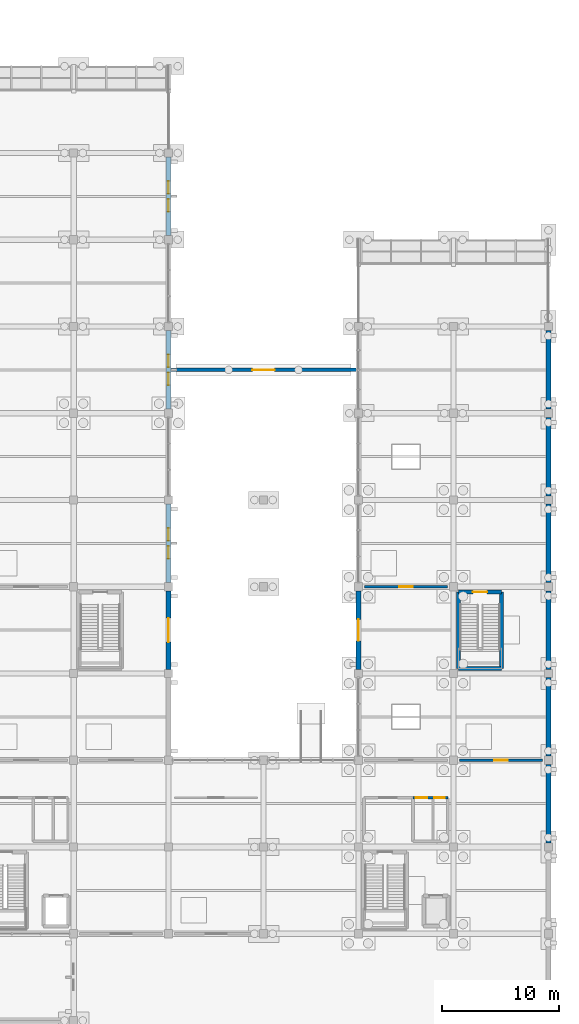
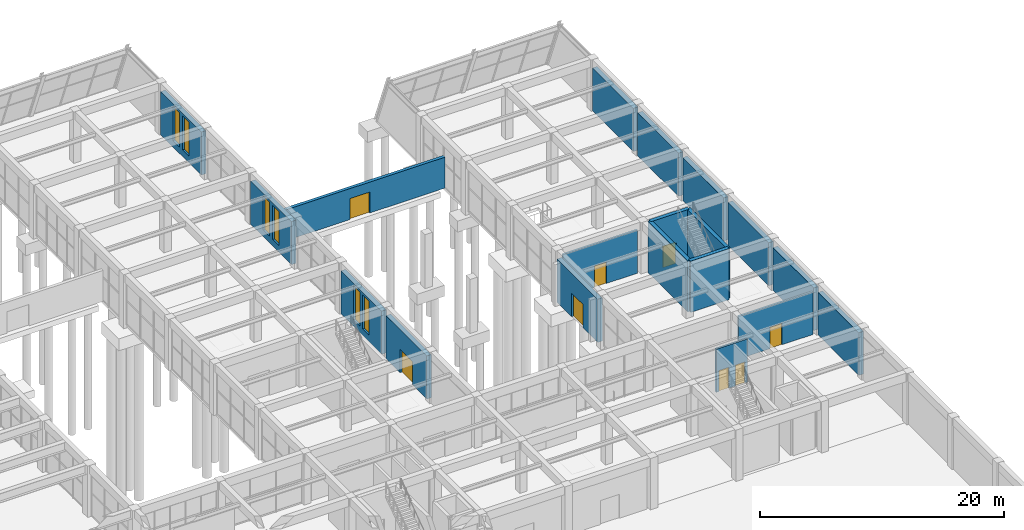
# One storey, part 130 of 140: 19 walls, 8 doors, 6 windows, 14 openings.
"""IFC4 building model written with IfcOpenShell, lengths in metres."""

from ifc_helpers import new_model, si_unit, direction, frame, frame_2d, origin, place, context, subcontext, project, spatial, rectangle, extrude, material, layer, layer_set, type_object, element, fill, save


model = new_model("IFC4")

# Units and contexts
model_context = context("Model", 3, precision=1e-05, world=origin(), true_north=direction((0.0, 1.0)))
body_context = subcontext(model_context, "Body", "Model", "MODEL_VIEW")
ifc_project = project(units=[si_unit("LENGTHUNIT", "METRE"), si_unit("AREAUNIT", "SQUARE_METRE"), si_unit("VOLUMEUNIT", "CUBIC_METRE"), si_unit("PLANEANGLEUNIT", "RADIAN"), si_unit("MASSUNIT", "GRAM", prefix="KILO")], contexts=[model_context])

# Site, building, storey
site_placement = place(None, origin())
site = spatial("IfcSite", under=ifc_project, at=site_placement, CompositionType="ELEMENT")
building_placement = place(site_placement, origin())
building = spatial("IfcBuilding", under=site, at=building_placement, Name="Cimatlan Art Gallery", CompositionType="ELEMENT")
storey_placement = place(building_placement, origin())
storey = spatial("IfcBuildingStorey", under=building, at=storey_placement, Name="L00", CompositionType="ELEMENT", Elevation=0.0)

# Walls
ifc_material_1 = material(Name="Concrete C40/50", Category="concrete")
ifc_layer_1 = layer(ifc_material_1, 0.35009765625)
ifc_layer_set_1 = layer_set([ifc_layer_1], Name="Concrete C40/50")
wall_type_1 = type_object("IfcWallType", Name="W-CORE-350", PredefinedType="SHEAR", material=ifc_layer_set_1)
wall_1_placement = place(storey_placement, frame((156.340087890625, 46.5400390625, 0.0), z_axis=(0.0, 0.0, 1.0), x_axis=(0.0, 1.0, 0.0)))
element("IfcWall", 1, at=wall_1_placement, inside=storey, type_object=wall_type_1, Name="WL-CORE-C10-L00-SW", PredefinedType="SHEAR", context=body_context, shape_type="SweptSolid", body=[
    extrude(rectangle(XDim=6.52001953125, YDim=0.35009765625, at=frame_2d((3.260009765625, 0.0))), origin(), (0.0, 0.0, 1.0), 5.1298828125),
])
wall_2_placement = place(storey_placement, frame((156.340087890625, 46.5400390625, 0.0), z_axis=(0.0, 0.0, 1.0), x_axis=(1.0, 0.0, 0.0)))
element("IfcWall", 2, at=wall_2_placement, inside=storey, type_object=wall_type_1, Name="WL-CORE-C10-L00-SS", PredefinedType="SHEAR", context=body_context, shape_type="SweptSolid", body=[
    extrude(rectangle(XDim=3.639892578125, YDim=0.35009765625, at=frame_2d((1.81982421875, 0.0))), origin(), (0.0, 0.0, 1.0), 5.1298828125),
])
wall_3_placement = place(storey_placement, frame((159.97998046875, 46.5400390625, 0.0), z_axis=(0.0, 0.0, 1.0), x_axis=(0.0, 1.0, 0.0)))
element("IfcWall", 3, at=wall_3_placement, inside=storey, type_object=wall_type_1, Name="WL-CORE-C10-L00-SE", PredefinedType="SHEAR", context=body_context, shape_type="SweptSolid", body=[
    extrude(rectangle(XDim=6.52001953125, YDim=0.35009765625, at=frame_2d((3.260009765625, 0.0))), origin(), (0.0, 0.0, 1.0), 5.1298828125),
])

# Wall, opening, door
wall_4_placement = place(storey_placement, frame((156.340087890625, 53.06005859375, 0.0), z_axis=(0.0, 0.0, 1.0), x_axis=(1.0, 0.0, 0.0)))
wall_4 = element("IfcWall", 4, at=wall_4_placement, inside=storey, type_object=wall_type_1, Name="WL-CORE-C10-L00-SN", PredefinedType="SHEAR", context=body_context, shape_type="SweptSolid", body=[
    extrude(rectangle(XDim=3.639892578125, YDim=0.35009765625, at=frame_2d((1.81982421875, 0.0))), origin(), (0.0, 0.0, 1.0), 5.1298828125),
])
opening_1_placement = place(wall_4_placement, frame((1.219970703125, 0.0, 0.0)))
opening_1 = element("IfcOpeningElement", 5, at=opening_1_placement, cuts=wall_4, Name="Opening FD-C10-L00", PredefinedType="OPENING", context=body_context, shape_type="SweptSolid", body=[
    extrude(rectangle(XDim=1.199951171875, YDim=2.14990234375, at=frame_2d((0.60009765625, 1.074951171875))), frame((0.0, 0.18505859375, 0.0), z_axis=(0.0, -1.0, 0.0), x_axis=(1.0, 0.0, 0.0)), (0.0, 0.0, 1.0), 0.3701171875),
])
ifc_material_2 = material(Name="Fire-resisting steel acoustic stair door", Category="steel")
door_type_1 = type_object("IfcDoorType", Name="FD-ST-1200", OperationType="NOTDEFINED", PredefinedType="DOOR", material=ifc_material_2)
door_1_placement = place(opening_1_placement, origin())
door_1 = element("IfcDoor", 6, at=door_1_placement, inside=storey, type_object=door_type_1, Name="DR-C10-L00-ST", OperationType="SINGLE_SWING_LEFT", OverallHeight=2.14990234375, OverallWidth=1.199951171875, PredefinedType="DOOR", context=body_context, shape_type="SweptSolid", body=[
    extrude(rectangle(XDim=1.199951171875, YDim=2.14990234375, at=frame_2d((0.60009765625, 1.074951171875))), frame((0.0, 0.02490234375, 0.0), z_axis=(0.0, -1.0, 0.0), x_axis=(1.0, 0.0, 0.0)), (0.0, 0.0, 1.0), 0.050048828125),
])
fill(opening_1, door_1)

# Wall, openings, doors
ifc_material_3 = material(Name="Moisture-resistant fire-rated plumbing wall")
ifc_layer_2 = layer(ifc_material_3, 0.195068359375)
ifc_layer_set_2 = layer_set([ifc_layer_2], Name="Moisture-resistant fire-rated plumbing wall")
wall_type_2 = type_object("IfcWallType", Name="W-PLM-195", PredefinedType="PARTITIONING", material=ifc_layer_set_2)
wall_5_placement = place(storey_placement, frame((152.449951171875, 35.5, 0.0), z_axis=(0.0, 0.0, 1.0), x_axis=(1.0, 0.0, 0.0)))
wall_5 = element("IfcWall", 7, at=wall_5_placement, inside=storey, type_object=wall_type_2, Name="WL-WC-C5-L00-N", PredefinedType="PARTITIONING", context=body_context, shape_type="SweptSolid", body=[
    extrude(rectangle(XDim=2.969970703125, YDim=0.195068359375, at=frame_2d((1.48486328125, 0.0))), origin(), (0.0, 0.0, 1.0), 4.324951171875),
])
opening_2_placement = place(wall_5_placement, frame((0.25, 0.0, 0.0)))
opening_2 = element("IfcOpeningElement", 8, at=opening_2_placement, cuts=wall_5, Name="Opening DWC-C5A-L00", PredefinedType="OPENING", context=body_context, shape_type="SweptSolid", body=[
    extrude(rectangle(XDim=0.949951171875, YDim=2.10009765625, at=frame_2d((0.47509765625, 1.050048828125))), frame((0.0, 0.107421875, 0.0), z_axis=(0.0, -1.0, 0.0), x_axis=(1.0, 0.0, 0.0)), (0.0, 0.0, 1.0), 0.215087890625),
])
opening_3_placement = place(wall_5_placement, frame((1.820068359375, 0.0, 0.0)))
opening_3 = element("IfcOpeningElement", 9, at=opening_3_placement, cuts=wall_5, Name="Opening DWC-C5B-L00", PredefinedType="OPENING", context=body_context, shape_type="SweptSolid", body=[
    extrude(rectangle(XDim=0.89990234375, YDim=2.10009765625, at=frame_2d((0.449951171875, 1.050048828125))), frame((0.0, 0.107421875, 0.0), z_axis=(0.0, -1.0, 0.0), x_axis=(1.0, 0.0, 0.0)), (0.0, 0.0, 1.0), 0.215087890625),
])
ifc_material_4 = material(Name="Sanitary room door")
door_type_2 = type_object("IfcDoorType", Name="DI-WC-0900", OperationType="NOTDEFINED", PredefinedType="DOOR", material=ifc_material_4)
door_2_placement = place(opening_3_placement, origin())
door_2 = element("IfcDoor", 10, at=door_2_placement, inside=storey, type_object=door_type_2, Name="DR-PWC-C5-L00", OperationType="SINGLE_SWING_RIGHT", OverallHeight=2.10009765625, OverallWidth=0.89990234375, PredefinedType="DOOR", context=body_context, shape_type="SweptSolid", body=[
    extrude(rectangle(XDim=0.89990234375, YDim=2.10009765625, at=frame_2d((0.449951171875, 1.050048828125))), frame((0.0, 0.02490234375, 0.0), z_axis=(0.0, -1.0, 0.0), x_axis=(1.0, 0.0, 0.0)), (0.0, 0.0, 1.0), 0.050048828125),
])
fill(opening_3, door_2)
ifc_material_5 = material(Name="Accessible sanitary room door")
door_type_3 = type_object("IfcDoorType", Name="DI-WC-0950", OperationType="NOTDEFINED", PredefinedType="DOOR", material=ifc_material_5)
door_3_placement = place(opening_2_placement, origin())
door_3 = element("IfcDoor", 11, at=door_3_placement, inside=storey, type_object=door_type_3, Name="DR-AWC-C5-L00", OperationType="SINGLE_SWING_LEFT", OverallHeight=2.10009765625, OverallWidth=0.949951171875, PredefinedType="DOOR", context=body_context, shape_type="SweptSolid", body=[
    extrude(rectangle(XDim=0.949951171875, YDim=2.10009765625, at=frame_2d((0.47509765625, 1.050048828125))), frame((0.0, 0.02490234375, 0.0), z_axis=(0.0, -1.0, 0.0), x_axis=(1.0, 0.0, 0.0)), (0.0, 0.0, 1.0), 0.050048828125),
])
fill(opening_2, door_3)

# Wall, opening, door
ifc_material_6 = material(Name="Acoustic gypsum and steel stud partition", Category="steel")
ifc_layer_3 = layer(ifc_material_6, 0.179931640625)
ifc_layer_set_3 = layer_set([ifc_layer_3], Name="Acoustic gypsum and steel stud partition")
wall_type_3 = type_object("IfcWallType", Name="W-STD-180", PredefinedType="PARTITIONING", material=ifc_layer_set_3)
wall_6_placement = place(storey_placement, frame((156.419921875, 38.699951171875, 0.0), z_axis=(0.0, 0.0, 1.0), x_axis=(1.0, 0.0, 0.0)))
wall_6 = element("IfcWall", 12, at=wall_6_placement, inside=storey, type_object=wall_type_3, Name="WL-RM-L00-STD-01B", PredefinedType="PARTITIONING", context=body_context, shape_type="SweptSolid", body=[
    extrude(rectangle(XDim=7.06005859375, YDim=0.179931640625, at=frame_2d((3.530029296875, 0.0))), origin(), (0.0, 0.0, 1.0), 4.27490234375),
])
opening_4_placement = place(wall_6_placement, frame((2.955078125, 0.0, 0.0)))
opening_4 = element("IfcOpeningElement", 13, at=opening_4_placement, cuts=wall_6, Name="Opening DI-0194", PredefinedType="OPENING", context=body_context, shape_type="SweptSolid", body=[
    extrude(rectangle(XDim=1.14990234375, YDim=2.14990234375, at=frame_2d((0.574951171875, 1.074951171875))), frame((0.0, 0.10009765625, 0.0), z_axis=(0.0, -1.0, 0.0), x_axis=(1.0, 0.0, 0.0)), (0.0, 0.0, 1.0), 0.199951171875),
])
ifc_material_7 = material(Name="Solid oak artists' studio door")
door_type_4 = type_object("IfcDoorType", Name="DI-SD-1150", OperationType="NOTDEFINED", PredefinedType="DOOR", material=ifc_material_7)
door_4_placement = place(opening_4_placement, origin())
door_4 = element("IfcDoor", 14, at=door_4_placement, inside=storey, type_object=door_type_4, Name="DR-RM-L00-STD-01B", OperationType="SINGLE_SWING_RIGHT", OverallHeight=2.14990234375, OverallWidth=1.14990234375, PredefinedType="DOOR", context=body_context, shape_type="SweptSolid", body=[
    extrude(rectangle(XDim=1.14990234375, YDim=2.14990234375, at=frame_2d((0.574951171875, 1.074951171875))), frame((0.0, 0.02490234375, 0.0), z_axis=(0.0, -1.0, 0.0), x_axis=(1.0, 0.0, 0.0)), (0.0, 0.0, 1.0), 0.050048828125),
])
fill(opening_4, door_4)

wall_7_placement = place(storey_placement, frame((148.320068359375, 53.5, 0.0), z_axis=(0.0, 0.0, 1.0), x_axis=(1.0, 0.0, 0.0)))
wall_7 = element("IfcWall", 15, at=wall_7_placement, inside=storey, type_object=wall_type_3, Name="WL-RM-L00-STD-02", PredefinedType="PARTITIONING", context=body_context, shape_type="SweptSolid", body=[
    extrude(rectangle(XDim=7.059814453125, YDim=0.179931640625, at=frame_2d((3.52978515625, 0.0))), origin(), (0.0, 0.0, 1.0), 4.324951171875),
])
opening_5_placement = place(wall_7_placement, frame((2.955078125, 0.0, 0.0)))
opening_5 = element("IfcOpeningElement", 16, at=opening_5_placement, cuts=wall_7, Name="Opening DI-0195", PredefinedType="OPENING", context=body_context, shape_type="SweptSolid", body=[
    extrude(rectangle(XDim=1.14990234375, YDim=2.14990234375, at=frame_2d((0.574951171875, 1.074951171875))), frame((0.0, 0.10009765625, 0.0), z_axis=(0.0, -1.0, 0.0), x_axis=(1.0, 0.0, 0.0)), (0.0, 0.0, 1.0), 0.199951171875),
])
door_5_placement = place(opening_5_placement, origin())
door_5 = element("IfcDoor", 17, at=door_5_placement, inside=storey, type_object=door_type_4, Name="DR-RM-L00-STD-02", OperationType="SINGLE_SWING_LEFT", OverallHeight=2.14990234375, OverallWidth=1.14990234375, PredefinedType="DOOR", context=body_context, shape_type="SweptSolid", body=[
    extrude(rectangle(XDim=1.14990234375, YDim=2.14990234375, at=frame_2d((0.574951171875, 1.074951171875))), frame((0.0, 0.02490234375, 0.0), z_axis=(0.0, -1.0, 0.0), x_axis=(1.0, 0.0, 0.0)), (0.0, 0.0, 1.0), 0.050048828125),
])
fill(opening_5, door_5)

ifc_material_8 = material(Name="Precast concrete C40/50", Category="concrete")
ifc_layer_4 = layer(ifc_material_8, 0.43994140625)
ifc_layer_set_4 = layer_set([ifc_layer_4], Name="Precast concrete C40/50")
wall_type_4 = type_object("IfcWallType", Name="WL-EXT-CAN-440", PredefinedType="SOLIDWALL", material=ifc_layer_set_4)
wall_8_placement = place(storey_placement, frame((131.60009765625, 53.14599609375, 0.0), z_axis=(0.0, 0.0, 1.0), x_axis=(0.0, -1.0, 0.0)))
wall_8 = element("IfcWall", 18, at=wall_8_placement, inside=storey, type_object=wall_type_4, Name="WL-EXT-L00-15-06-E", PredefinedType="SOLIDWALL", context=body_context, shape_type="SweptSolid", body=[
    extrude(rectangle(XDim=6.69189453125, YDim=0.43994140625, at=frame_2d((3.345947265625, 0.0))), origin(), (0.0, 0.0, 1.0), 4.320068359375),
])
opening_6_placement = place(wall_8_placement, frame((2.321044921875, 0.0, 0.0)))
opening_6 = element("IfcOpeningElement", 19, at=opening_6_placement, cuts=wall_8, Name="Opening D-L00-E13", PredefinedType="OPENING", context=body_context, shape_type="SweptSolid", body=[
    extrude(rectangle(XDim=2.050048828125, YDim=2.35009765625, at=frame_2d((1.02490234375, 1.175048828125))), frame((0.0, 0.22998046875, 0.0), z_axis=(0.0, -1.0, 0.0), x_axis=(1.0, 0.0, 0.0)), (0.0, 0.0, 1.0), 0.4599609375),
])
ifc_material_9 = material(Name="Anodised bronze and laminated safety glass door", Category="glass")
door_type_5 = type_object("IfcDoorType", Name="DE-EX-2050", OperationType="NOTDEFINED", PredefinedType="DOOR", material=ifc_material_9)
door_6_placement = place(opening_6_placement, origin())
door_6 = element("IfcDoor", 20, at=door_6_placement, inside=storey, type_object=door_type_5, Name="D-L00-E13", OperationType="DOUBLE_SWING_LEFT", OverallHeight=2.35009765625, OverallWidth=2.050048828125, PredefinedType="DOOR", context=body_context, shape_type="SweptSolid", body=[
    extrude(rectangle(XDim=2.050048828125, YDim=2.35009765625, at=frame_2d((1.02490234375, 1.175048828125))), frame((0.0, 0.02490234375, 0.0), z_axis=(0.0, -1.0, 0.0), x_axis=(1.0, 0.0, 0.0)), (0.0, 0.0, 1.0), 0.050048828125),
])
fill(opening_6, door_6)

# Wall, openings, windows
wall_9_placement = place(storey_placement, frame((131.60009765625, 60.5458984375, 0.0), z_axis=(0.0, 0.0, 1.0), x_axis=(0.0, -1.0, 0.0)))
wall_9 = element("IfcWall", 21, at=wall_9_placement, inside=storey, type_object=wall_type_4, Name="WL-EXT-L00-15-07-E", PredefinedType="SOLIDWALL", context=body_context, shape_type="SweptSolid", body=[
    extrude(rectangle(XDim=6.69189453125, YDim=0.43994140625, at=frame_2d((3.345947265625, 0.0))), origin(), (0.0, 0.0, 1.0), 4.320068359375),
])
opening_7_placement = place(wall_9_placement, frame((2.0458984375, 0.0, 0.64990234375)))
opening_7 = element("IfcOpeningElement", 22, at=opening_7_placement, cuts=wall_9, Name="Opening WN-0047", PredefinedType="OPENING", context=body_context, shape_type="SweptSolid", body=[
    extrude(rectangle(XDim=1.06005859375, YDim=3.419921875, at=frame_2d((0.530029296875, 1.7099609375))), frame((0.0, 0.22998046875, 0.0), z_axis=(0.0, -1.0, 0.0), x_axis=(1.0, 0.0, 0.0)), (0.0, 0.0, 1.0), 0.4599609375),
])
opening_8_placement = place(wall_9_placement, frame((3.5859375, 0.0, 0.64990234375)))
opening_8 = element("IfcOpeningElement", 23, at=opening_8_placement, cuts=wall_9, Name="Opening WN-0048", PredefinedType="OPENING", context=body_context, shape_type="SweptSolid", body=[
    extrude(rectangle(XDim=1.06005859375, YDim=3.419921875, at=frame_2d((0.530029296875, 1.7099609375))), frame((0.0, 0.22998046875, 0.0), z_axis=(0.0, -1.0, 0.0), x_axis=(1.0, 0.0, 0.0)), (0.0, 0.0, 1.0), 0.4599609375),
])
ifc_material_10 = material(Name="Low-E laminated double glazing in bronze lancet frame", Category="glass")
window_type = type_object("IfcWindowType", Name="WIN-PAV-E0-1060X3420", PartitioningType="SINGLE_PANEL", PredefinedType="WINDOW", material=ifc_material_10)
window_1_placement = place(opening_7_placement, origin())
window_1 = element("IfcWindow", 24, at=window_1_placement, inside=storey, type_object=window_type, Name="WIN-0047", OverallHeight=3.419921875, OverallWidth=1.06005859375, PartitioningType="SINGLE_PANEL", PredefinedType="WINDOW", context=body_context, shape_type="SweptSolid", body=[
    extrude(rectangle(XDim=1.06005859375, YDim=3.419921875, at=frame_2d((0.530029296875, 1.7099609375))), frame((0.0, 0.030029296875, 0.0), z_axis=(0.0, -1.0, 0.0), x_axis=(1.0, 0.0, 0.0)), (0.0, 0.0, 1.0), 0.06005859375),
])
fill(opening_7, window_1)
window_2_placement = place(opening_8_placement, origin())
window_2 = element("IfcWindow", 25, at=window_2_placement, inside=storey, type_object=window_type, Name="WIN-0048", OverallHeight=3.419921875, OverallWidth=1.06005859375, PartitioningType="SINGLE_PANEL", PredefinedType="WINDOW", context=body_context, shape_type="SweptSolid", body=[
    extrude(rectangle(XDim=1.06005859375, YDim=3.419921875, at=frame_2d((0.530029296875, 1.7099609375))), frame((0.0, 0.030029296875, 0.0), z_axis=(0.0, -1.0, 0.0), x_axis=(1.0, 0.0, 0.0)), (0.0, 0.0, 1.0), 0.06005859375),
])
fill(opening_8, window_2)

wall_10_placement = place(storey_placement, frame((131.60009765625, 75.345947265625, 0.0), z_axis=(0.0, 0.0, 1.0), x_axis=(0.0, -1.0, 0.0)))
wall_10 = element("IfcWall", 26, at=wall_10_placement, inside=storey, type_object=wall_type_4, Name="WL-EXT-L00-15-09-E", PredefinedType="SOLIDWALL", context=body_context, shape_type="SweptSolid", body=[
    extrude(rectangle(XDim=6.69189453125, YDim=0.43994140625, at=frame_2d((3.345947265625, 0.0))), origin(), (0.0, 0.0, 1.0), 4.320068359375),
])
opening_9_placement = place(wall_10_placement, frame((2.0458984375, 0.0, 0.64990234375)))
opening_9 = element("IfcOpeningElement", 27, at=opening_9_placement, cuts=wall_10, Name="Opening WN-0049", PredefinedType="OPENING", context=body_context, shape_type="SweptSolid", body=[
    extrude(rectangle(XDim=1.06005859375, YDim=3.419921875, at=frame_2d((0.530029296875, 1.7099609375))), frame((0.0, 0.22998046875, 0.0), z_axis=(0.0, -1.0, 0.0), x_axis=(1.0, 0.0, 0.0)), (0.0, 0.0, 1.0), 0.4599609375),
])
opening_10_placement = place(wall_10_placement, frame((3.5859375, 0.0, 0.64990234375)))
opening_10 = element("IfcOpeningElement", 28, at=opening_10_placement, cuts=wall_10, Name="Opening WN-0050", PredefinedType="OPENING", context=body_context, shape_type="SweptSolid", body=[
    extrude(rectangle(XDim=1.06005859375, YDim=3.419921875, at=frame_2d((0.530029296875, 1.7099609375))), frame((0.0, 0.22998046875, 0.0), z_axis=(0.0, -1.0, 0.0), x_axis=(1.0, 0.0, 0.0)), (0.0, 0.0, 1.0), 0.4599609375),
])
window_3_placement = place(opening_9_placement, origin())
window_3 = element("IfcWindow", 29, at=window_3_placement, inside=storey, type_object=window_type, Name="WIN-0049", OverallHeight=3.419921875, OverallWidth=1.06005859375, PartitioningType="SINGLE_PANEL", PredefinedType="WINDOW", context=body_context, shape_type="SweptSolid", body=[
    extrude(rectangle(XDim=1.06005859375, YDim=3.419921875, at=frame_2d((0.530029296875, 1.7099609375))), frame((0.0, 0.030029296875, 0.0), z_axis=(0.0, -1.0, 0.0), x_axis=(1.0, 0.0, 0.0)), (0.0, 0.0, 1.0), 0.06005859375),
])
fill(opening_9, window_3)
window_4_placement = place(opening_10_placement, origin())
window_4 = element("IfcWindow", 30, at=window_4_placement, inside=storey, type_object=window_type, Name="WIN-0050", OverallHeight=3.419921875, OverallWidth=1.06005859375, PartitioningType="SINGLE_PANEL", PredefinedType="WINDOW", context=body_context, shape_type="SweptSolid", body=[
    extrude(rectangle(XDim=1.06005859375, YDim=3.419921875, at=frame_2d((0.530029296875, 1.7099609375))), frame((0.0, 0.030029296875, 0.0), z_axis=(0.0, -1.0, 0.0), x_axis=(1.0, 0.0, 0.0)), (0.0, 0.0, 1.0), 0.06005859375),
])
fill(opening_10, window_4)

wall_11_placement = place(storey_placement, frame((131.60009765625, 90.14599609375, 0.0), z_axis=(0.0, 0.0, 1.0), x_axis=(0.0, -1.0, 0.0)))
wall_11 = element("IfcWall", 31, at=wall_11_placement, inside=storey, type_object=wall_type_4, Name="WL-EXT-L00-15-11-E", PredefinedType="SOLIDWALL", context=body_context, shape_type="SweptSolid", body=[
    extrude(rectangle(XDim=6.69189453125, YDim=0.43994140625, at=frame_2d((3.345947265625, 0.0))), origin(), (0.0, 0.0, 1.0), 4.320068359375),
])
opening_11_placement = place(wall_11_placement, frame((2.0458984375, 0.0, 0.64990234375)))
opening_11 = element("IfcOpeningElement", 32, at=opening_11_placement, cuts=wall_11, Name="Opening WN-0051", PredefinedType="OPENING", context=body_context, shape_type="SweptSolid", body=[
    extrude(rectangle(XDim=1.06005859375, YDim=3.419921875, at=frame_2d((0.530029296875, 1.7099609375))), frame((0.0, 0.22998046875, 0.0), z_axis=(0.0, -1.0, 0.0), x_axis=(1.0, 0.0, 0.0)), (0.0, 0.0, 1.0), 0.4599609375),
])
opening_12_placement = place(wall_11_placement, frame((3.5859375, 0.0, 0.64990234375)))
opening_12 = element("IfcOpeningElement", 33, at=opening_12_placement, cuts=wall_11, Name="Opening WN-0052", PredefinedType="OPENING", context=body_context, shape_type="SweptSolid", body=[
    extrude(rectangle(XDim=1.06005859375, YDim=3.419921875, at=frame_2d((0.530029296875, 1.7099609375))), frame((0.0, 0.22998046875, 0.0), z_axis=(0.0, -1.0, 0.0), x_axis=(1.0, 0.0, 0.0)), (0.0, 0.0, 1.0), 0.4599609375),
])
window_5_placement = place(opening_11_placement, origin())
window_5 = element("IfcWindow", 34, at=window_5_placement, inside=storey, type_object=window_type, Name="WIN-0051", OverallHeight=3.419921875, OverallWidth=1.06005859375, PartitioningType="SINGLE_PANEL", PredefinedType="WINDOW", context=body_context, shape_type="SweptSolid", body=[
    extrude(rectangle(XDim=1.06005859375, YDim=3.419921875, at=frame_2d((0.530029296875, 1.7099609375))), frame((0.0, 0.030029296875, 0.0), z_axis=(0.0, -1.0, 0.0), x_axis=(1.0, 0.0, 0.0)), (0.0, 0.0, 1.0), 0.06005859375),
])
fill(opening_11, window_5)
window_6_placement = place(opening_12_placement, origin())
window_6 = element("IfcWindow", 35, at=window_6_placement, inside=storey, type_object=window_type, Name="WIN-0052", OverallHeight=3.419921875, OverallWidth=1.06005859375, PartitioningType="SINGLE_PANEL", PredefinedType="WINDOW", context=body_context, shape_type="SweptSolid", body=[
    extrude(rectangle(XDim=1.06005859375, YDim=3.419921875, at=frame_2d((0.530029296875, 1.7099609375))), frame((0.0, 0.030029296875, 0.0), z_axis=(0.0, -1.0, 0.0), x_axis=(1.0, 0.0, 0.0)), (0.0, 0.0, 1.0), 0.06005859375),
])
fill(opening_12, window_6)

# Wall, opening, door
wall_12_placement = place(storey_placement, frame((147.800048828125, 46.4541015625, 0.0), z_axis=(0.0, 0.0, 1.0), x_axis=(0.0, 1.0, 0.0)))
wall_12 = element("IfcWall", 36, at=wall_12_placement, inside=storey, type_object=wall_type_4, Name="WL-EXT-L00-18-06-W", PredefinedType="SOLIDWALL", context=body_context, shape_type="SweptSolid", body=[
    extrude(rectangle(XDim=6.69189453125, YDim=0.43994140625, at=frame_2d((3.345947265625, 0.0))), origin(), (0.0, 0.0, 1.0), 4.320068359375),
])
opening_13_placement = place(wall_12_placement, frame((2.4208984375, 0.0, 0.0)))
opening_13 = element("IfcOpeningElement", 37, at=opening_13_placement, cuts=wall_12, Name="Opening D-L00-E14", PredefinedType="OPENING", context=body_context, shape_type="SweptSolid", body=[
    extrude(rectangle(XDim=1.85009765625, YDim=2.35009765625, at=frame_2d((0.925048828125, 1.175048828125))), frame((0.0, 0.22998046875, 0.0), z_axis=(0.0, -1.0, 0.0), x_axis=(1.0, 0.0, 0.0)), (0.0, 0.0, 1.0), 0.4599609375),
])
door_type_6 = type_object("IfcDoorType", Name="DE-CT-1850", OperationType="NOTDEFINED", PredefinedType="DOOR", material=ifc_material_9)
door_7_placement = place(opening_13_placement, origin())
door_7 = element("IfcDoor", 38, at=door_7_placement, inside=storey, type_object=door_type_6, Name="D-L00-E14", OperationType="DOUBLE_SWING_LEFT", OverallHeight=2.35009765625, OverallWidth=1.85009765625, PredefinedType="DOOR", context=body_context, shape_type="SweptSolid", body=[
    extrude(rectangle(XDim=1.85009765625, YDim=2.35009765625, at=frame_2d((0.925048828125, 1.175048828125))), frame((0.0, 0.02490234375, 0.0), z_axis=(0.0, -1.0, 0.0), x_axis=(1.0, 0.0, 0.0)), (0.0, 0.0, 1.0), 0.050048828125),
])
fill(opening_13, door_7)

# Walls
wall_13_placement = place(storey_placement, frame((164.0, 38.345947265625, 0.0), z_axis=(0.0, 0.0, 1.0), x_axis=(0.0, -1.0, 0.0)))
element("IfcWall", 39, at=wall_13_placement, inside=storey, type_object=wall_type_4, Name="WL-EXT-L00-19-04-E", PredefinedType="SOLIDWALL", context=body_context, shape_type="SweptSolid", body=[
    extrude(rectangle(XDim=6.69189453125, YDim=0.43994140625, at=frame_2d((3.345947265625, 0.0))), origin(), (0.0, 0.0, 1.0), 4.27001953125),
])
wall_14_placement = place(storey_placement, frame((164.0, 45.74609375, 0.0), z_axis=(0.0, 0.0, 1.0), x_axis=(0.0, -1.0, 0.0)))
element("IfcWall", 40, at=wall_14_placement, inside=storey, type_object=wall_type_4, Name="WL-EXT-L00-19-05-E", PredefinedType="SOLIDWALL", context=body_context, shape_type="SweptSolid", body=[
    extrude(rectangle(XDim=6.692138671875, YDim=0.43994140625, at=frame_2d((3.34619140625, 0.0))), origin(), (0.0, 0.0, 1.0), 4.27001953125),
])
for number, where, z_axis, x_axis, name in (
    (41, (164.0, 53.14599609375, 0.0), (0.0, 0.0, 1.0), (0.0, -1.0, 0.0), "WL-EXT-L00-19-06-E"),
    (42, (164.0, 60.5458984375, 0.0), (0.0, 0.0, 1.0), (0.0, -1.0, 0.0), "WL-EXT-L00-19-07-E"),
):
    element("IfcWall", number, at=place(storey_placement, frame(where, z_axis=z_axis, x_axis=x_axis)), inside=storey, type_object=wall_type_4, Name=name, PredefinedType="SOLIDWALL", context=body_context, shape_type="SweptSolid", body=[
        extrude(rectangle(XDim=6.69189453125, YDim=0.43994140625, at=frame_2d((3.345947265625, 0.0))), origin(), (0.0, 0.0, 1.0), 4.320068359375),
    ])
wall_15_placement = place(storey_placement, frame((164.0, 67.946044921875, 0.0), z_axis=(0.0, 0.0, 1.0), x_axis=(0.0, -1.0, 0.0)))
element("IfcWall", 43, at=wall_15_placement, inside=storey, type_object=wall_type_4, Name="WL-EXT-L00-19-08-E", PredefinedType="SOLIDWALL", context=body_context, shape_type="SweptSolid", body=[
    extrude(rectangle(XDim=6.692138671875, YDim=0.43994140625, at=frame_2d((3.34619140625, 0.0))), origin(), (0.0, 0.0, 1.0), 4.320068359375),
])
wall_16_placement = place(storey_placement, frame((164.0, 75.345947265625, 0.0), z_axis=(0.0, 0.0, 1.0), x_axis=(0.0, -1.0, 0.0)))
element("IfcWall", 44, at=wall_16_placement, inside=storey, type_object=wall_type_4, Name="WL-EXT-L00-19-09-E", PredefinedType="SOLIDWALL", context=body_context, shape_type="SweptSolid", body=[
    extrude(rectangle(XDim=6.69189453125, YDim=0.43994140625, at=frame_2d((3.345947265625, 0.0))), origin(), (0.0, 0.0, 1.0), 4.320068359375),
])

# Wall, opening, door
ifc_layer_5 = layer(ifc_material_8, 0.294921875)
ifc_layer_set_5 = layer_set([ifc_layer_5], Name="Precast concrete C40/50")
wall_type_5 = type_object("IfcWallType", Name="WL-EXT-CLN-295", PredefinedType="SOLIDWALL", material=ifc_layer_set_5)
wall_17_placement = place(storey_placement, frame((131.610107421875, 72.0, 0.0), z_axis=(0.0, 0.0, 1.0), x_axis=(1.0, 0.0, 0.0)))
wall_17 = element("IfcWall", 45, at=wall_17_placement, inside=storey, type_object=wall_type_5, Name="WL-CGS-4", PredefinedType="SOLIDWALL", context=body_context, shape_type="SweptSolid", body=[
    extrude(rectangle(XDim=16.179931640625, YDim=0.294921875, at=frame_2d((8.08984375, 0.0))), origin(), (0.0, 0.0, 1.0), 3.10009765625),
])
opening_14_placement = place(wall_17_placement, frame((7.139892578125, 0.0, 0.0)))
opening_14 = element("IfcOpeningElement", 46, at=opening_14_placement, cuts=wall_17, Name="Opening GT-04", PredefinedType="OPENING", context=body_context, shape_type="SweptSolid", body=[
    extrude(rectangle(XDim=1.89990234375, YDim=2.10009765625, at=frame_2d((0.949951171875, 1.050048828125))), frame((0.0, 0.157470703125, 0.0), z_axis=(0.0, -1.0, 0.0), x_axis=(1.0, 0.0, 0.0)), (0.0, 0.0, 1.0), 0.31494140625),
])
ifc_material_11 = material(Name="Painted architectural steel gate", Category="steel")
door_type_7 = type_object("IfcDoorType", Name="GT-EX-1900", OperationType="NOTDEFINED", PredefinedType="GATE", material=ifc_material_11)
door_8_placement = place(opening_14_placement, origin())
door_8 = element("IfcDoor", 47, at=door_8_placement, inside=storey, type_object=door_type_7, Name="GT-04", OperationType="DOUBLE_SWING_LEFT", OverallHeight=2.10009765625, OverallWidth=1.89990234375, PredefinedType="GATE", context=body_context, shape_type="SweptSolid", body=[
    extrude(rectangle(XDim=1.89990234375, YDim=2.10009765625, at=frame_2d((0.949951171875, 1.050048828125))), frame((0.0, 0.02490234375, 0.0), z_axis=(0.0, -1.0, 0.0), x_axis=(1.0, 0.0, 0.0)), (0.0, 0.0, 1.0), 0.050048828125),
])
fill(opening_14, door_8)

save(model, "model.ifc")
